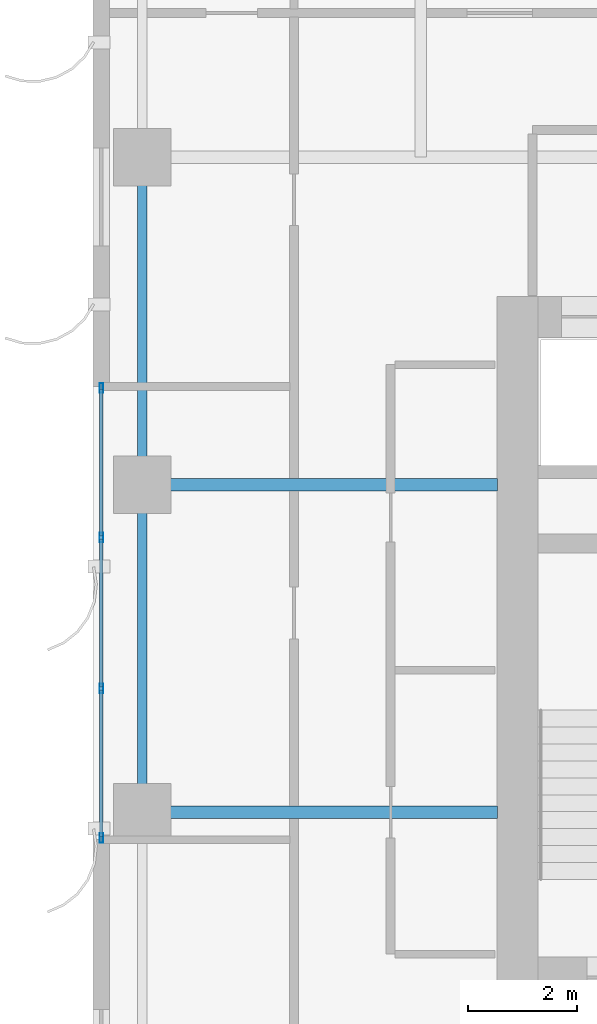
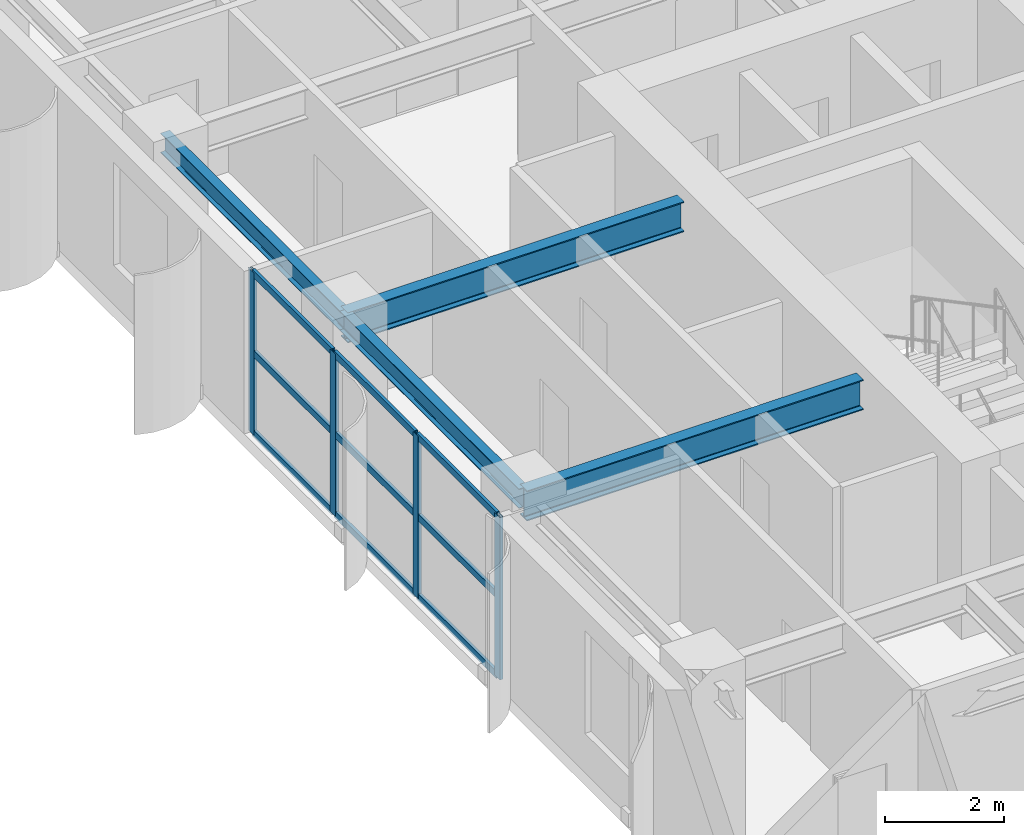
# One storey, part 7 of 22: 13 members, 4 beams, 1 element without a shape of its own.
"""IFC4 building model written with IfcOpenShell, lengths in metres."""

from ifc_helpers import new_model, si_unit, direction, frame, origin, origin_2d, place, context, subcontext, project, spatial, hollow_rectangle, i_section, extrude, source, transform, mapped, material, layer, layer_set, material_profile, profile_set, type_object, element, aggregate, save


model = new_model("IFC4")

# Units and contexts
model_context = context("Model", 3, precision=1e-05, world=origin(), true_north=direction((0.0, 1.0)))
body_context = subcontext(model_context, "Body", "Model", "MODEL_VIEW")
ifc_project = project(units=[si_unit("LENGTHUNIT", "METRE"), si_unit("AREAUNIT", "SQUARE_METRE"), si_unit("VOLUMEUNIT", "CUBIC_METRE"), si_unit("PLANEANGLEUNIT", "RADIAN"), si_unit("MASSUNIT", "GRAM", prefix="KILO")], contexts=[model_context])

# Site, building, storey
site_placement = place(None, origin())
site = spatial("IfcSite", under=ifc_project, at=site_placement, CompositionType="ELEMENT")
building_placement = place(site_placement, origin())
building = spatial("IfcBuilding", under=site, at=building_placement, Name="Khoralis Quay Care Tower", CompositionType="ELEMENT")
storey_placement = place(building_placement, frame((0.0, 0.0, 141.300048828125)))
storey = spatial("IfcBuildingStorey", under=building, at=storey_placement, Name="L37", CompositionType="ELEMENT", Elevation=141.300048828125)

# Beams
ifc_material_1 = material(Name="Steel S355", Category="steel")
ifc_material_profile_1 = material_profile(ifc_material_1, i_section(OverallWidth=0.179931640625, OverallDepth=0.39990234375, WebThickness=0.008544921875, FlangeThickness=0.013427734375, FilletRadius=0.02099609375, at=origin_2d()), Name="Steel S355")
ifc_profile_set_1 = profile_set([ifc_material_profile_1], Name="Steel S355")
beam_type_1 = type_object("IfcBeamType", Name="BM-IPE400", PredefinedType="SPANDREL", material=ifc_profile_set_1)
shared_shape_1 = source(origin(), body_context, "Body", "SweptSolid", [
    extrude(i_section(OverallWidth=0.179931640625, OverallDepth=0.39990234375, WebThickness=0.008544921875, FlangeThickness=0.013427734375, FilletRadius=0.02099609375, at=origin_2d()), origin(), (0.0, 0.0, 1.0), 6.0),
])
for number, where, z_axis, x_axis, name in (
    (1, (0.89990234375, 18.0, 3.119873046875), (0.0, 1.0, 0.0), (-1.0, 0.0, 0.0), "BM-TSP-L37-13"),
    (2, (0.89990234375, 24.0, 3.119873046875), (0.0, 1.0, 0.0), (-1.0, 0.0, 0.0), "BM-TSP-L37-14"),
):
    element("IfcBeam", number, at=place(storey_placement, frame(where, z_axis=z_axis, x_axis=x_axis)), inside=storey, type_object=beam_type_1, Name=name, PredefinedType="SPANDREL", context=body_context, shape_type="MappedRepresentation", body=[
        mapped(shared_shape_1, transform((0.0, 0.0, 0.0), scale=1.0)),
    ])
ifc_material_profile_2 = material_profile(ifc_material_1, i_section(OverallWidth=0.22998046875, OverallDepth=0.616943359375, WebThickness=0.01318359375, FlangeThickness=0.022216796875, FilletRadius=0.01806640625, at=origin_2d()), Name="Steel S355")
ifc_profile_set_2 = profile_set([ifc_material_profile_2], Name="Steel S355")
beam_type_2 = type_object("IfcBeamType", Name="BM-W610X140", PredefinedType="BEAM", material=ifc_profile_set_2)
shared_shape_2 = source(origin(), body_context, "Body", "SweptSolid", [
    extrude(i_section(OverallWidth=0.22998046875, OverallDepth=0.616943359375, WebThickness=0.01318359375, FlangeThickness=0.022216796875, FilletRadius=0.01806640625, at=origin_2d()), origin(), (0.0, 0.0, 1.0), 6.502197265625),
])
for number, where, z_axis, x_axis, name in (
    (3, (0.89990234375, 18.0, 3.011474609375), (1.0, 0.0, 0.0), (0.0, 1.0, 0.0), "BM-TGXW-L37-180"),
    (4, (0.89990234375, 24.0, 3.011474609375), (1.0, 0.0, 0.0), (0.0, 1.0, 0.0), "BM-TGXW-L37-240"),
):
    element("IfcBeam", number, at=place(storey_placement, frame(where, z_axis=z_axis, x_axis=x_axis)), inside=storey, type_object=beam_type_2, Name=name, PredefinedType="BEAM", context=body_context, shape_type="MappedRepresentation", body=[
        mapped(shared_shape_2, transform((0.0, 0.0, 0.0), scale=1.0)),
    ])

# Curtain wall, members
ifc_material_2 = material(Name="Pale anodised aluminium", Category="aluminium")
ifc_layer = layer(ifc_material_2, 0.169921875)
ifc_layer_set = layer_set([ifc_layer], Name="Pale anodised aluminium")
curtain_wall_type = type_object("IfcCurtainWallType", Name="CW-SYS-Z2", PredefinedType="NOTDEFINED", material=ifc_layer_set)
curtain_wall_placement = place(storey_placement, origin())
curtain_wall = element("IfcCurtainWall", 5, at=curtain_wall_placement, inside=storey, type_object=curtain_wall_type, Name="L37 Unitised Curtain Wall CW-L37-P1-E15", PredefinedType="NOTDEFINED")
ifc_material_profile_3 = material_profile(ifc_material_2, hollow_rectangle(XDim=0.06494140625, YDim=0.179931640625, WallThickness=0.00390625, at=origin_2d()), Name="Pale anodised aluminium")
ifc_profile_set_3 = profile_set([ifc_material_profile_3], Name="Pale anodised aluminium")
member_type_1 = type_object("IfcMemberType", Name="CW-MUL-180", PredefinedType="MULLION", material=ifc_profile_set_3)
shared_shape_3 = source(origin(), body_context, "Body", "SweptSolid", [
    extrude(hollow_rectangle(XDim=0.06494140625, YDim=0.179931640625, WallThickness=0.00390625, at=origin_2d()), origin(), (0.0, 0.0, 1.0), 3.320068359375),
])
member_1_placement = place(storey_placement, frame((0.14990234375, 25.77001953125, 0.0), z_axis=(0.0, 0.0, 1.0), x_axis=(1.0, 0.0, 0.0)))
member_1 = element("IfcMember", 6, at=member_1_placement, type_object=member_type_1, Name="CW2 mullion 1", PredefinedType="MULLION", context=body_context, shape_type="MappedRepresentation", body=[
    mapped(shared_shape_3, transform((0.0, 0.0, 0.0), scale=1.0)),
])
member_2_placement = place(storey_placement, frame((0.14990234375, 23.033447265625, 0.0), z_axis=(0.0, 0.0, 1.0), x_axis=(1.0, 0.0, 0.0)))
member_2 = element("IfcMember", 7, at=member_2_placement, type_object=member_type_1, Name="CW2 mullion 2", PredefinedType="MULLION", context=body_context, shape_type="MappedRepresentation", body=[
    mapped(shared_shape_3, transform((0.0, 0.0, 0.0), scale=1.0)),
])
member_3_placement = place(storey_placement, frame((0.14990234375, 20.2666015625, 0.0), z_axis=(0.0, 0.0, 1.0), x_axis=(1.0, 0.0, 0.0)))
member_3 = element("IfcMember", 8, at=member_3_placement, type_object=member_type_1, Name="CW2 mullion 3", PredefinedType="MULLION", context=body_context, shape_type="MappedRepresentation", body=[
    mapped(shared_shape_3, transform((0.0, 0.0, 0.0), scale=1.0)),
])
member_4_placement = place(storey_placement, frame((0.14990234375, 17.530029296875, 0.0), z_axis=(0.0, 0.0, 1.0), x_axis=(1.0, 0.0, 0.0)))
member_4 = element("IfcMember", 9, at=member_4_placement, type_object=member_type_1, Name="CW2 mullion 4", PredefinedType="MULLION", context=body_context, shape_type="MappedRepresentation", body=[
    mapped(shared_shape_3, transform((0.0, 0.0, 0.0), scale=1.0)),
])
ifc_material_profile_4 = material_profile(ifc_material_2, hollow_rectangle(XDim=0.06005859375, YDim=0.139892578125, WallThickness=0.00390625, at=origin_2d()), Name="Pale anodised aluminium")
ifc_profile_set_4 = profile_set([ifc_material_profile_4], Name="Pale anodised aluminium")
member_type_2 = type_object("IfcMemberType", Name="CW-TRN-140", PredefinedType="USERDEFINED", material=ifc_profile_set_4)
shared_shape_4 = source(origin(), body_context, "Body", "SweptSolid", [
    extrude(hollow_rectangle(XDim=0.06005859375, YDim=0.139892578125, WallThickness=0.00390625, at=origin_2d()), origin(), (0.0, 0.0, 1.0), 2.6767578125),
])
member_5_placement = place(storey_placement, frame((0.14990234375, 25.739990234375, 0.030029296875), z_axis=(0.0, -1.0, 0.0), x_axis=(1.0, 0.0, 0.0)))
member_5 = element("IfcMember", 10, at=member_5_placement, type_object=member_type_2, Name="CW2 transom 1.1", ObjectType="TRANSOM", PredefinedType="USERDEFINED", context=body_context, shape_type="MappedRepresentation", body=[
    mapped(shared_shape_4, transform((0.0, 0.0, 0.0), scale=1.0)),
])
member_6_placement = place(storey_placement, frame((0.14990234375, 25.739990234375, 1.659912109375), z_axis=(0.0, -1.0, 0.0), x_axis=(1.0, 0.0, 0.0)))
member_6 = element("IfcMember", 11, at=member_6_placement, type_object=member_type_2, Name="CW2 transom 1.2", ObjectType="TRANSOM", PredefinedType="USERDEFINED", context=body_context, shape_type="MappedRepresentation", body=[
    mapped(shared_shape_4, transform((0.0, 0.0, 0.0), scale=1.0)),
])
member_7_placement = place(storey_placement, frame((0.14990234375, 25.739990234375, 3.2900390625), z_axis=(0.0, -1.0, 0.0), x_axis=(1.0, 0.0, 0.0)))
member_7 = element("IfcMember", 12, at=member_7_placement, type_object=member_type_2, Name="CW2 transom 1.3", ObjectType="TRANSOM", PredefinedType="USERDEFINED", context=body_context, shape_type="MappedRepresentation", body=[
    mapped(shared_shape_4, transform((0.0, 0.0, 0.0), scale=1.0)),
])
shared_shape_5 = source(origin(), body_context, "Body", "SweptSolid", [
    extrude(hollow_rectangle(XDim=0.06005859375, YDim=0.139892578125, WallThickness=0.00390625, at=origin_2d()), origin(), (0.0, 0.0, 1.0), 2.676513671875),
])
member_8_placement = place(storey_placement, frame((0.14990234375, 20.236572265625, 0.030029296875), z_axis=(0.0, -1.0, 0.0), x_axis=(1.0, 0.0, 0.0)))
member_8 = element("IfcMember", 13, at=member_8_placement, type_object=member_type_2, Name="CW2 transom 3.1", ObjectType="TRANSOM", PredefinedType="USERDEFINED", context=body_context, shape_type="MappedRepresentation", body=[
    mapped(shared_shape_5, transform((0.0, 0.0, 0.0), scale=1.0)),
])
member_9_placement = place(storey_placement, frame((0.14990234375, 20.236572265625, 1.659912109375), z_axis=(0.0, -1.0, 0.0), x_axis=(1.0, 0.0, 0.0)))
member_9 = element("IfcMember", 14, at=member_9_placement, type_object=member_type_2, Name="CW2 transom 3.2", ObjectType="TRANSOM", PredefinedType="USERDEFINED", context=body_context, shape_type="MappedRepresentation", body=[
    mapped(shared_shape_5, transform((0.0, 0.0, 0.0), scale=1.0)),
])
member_10_placement = place(storey_placement, frame((0.14990234375, 20.236572265625, 3.2900390625), z_axis=(0.0, -1.0, 0.0), x_axis=(1.0, 0.0, 0.0)))
member_10 = element("IfcMember", 15, at=member_10_placement, type_object=member_type_2, Name="CW2 transom 3.3", ObjectType="TRANSOM", PredefinedType="USERDEFINED", context=body_context, shape_type="MappedRepresentation", body=[
    mapped(shared_shape_5, transform((0.0, 0.0, 0.0), scale=1.0)),
])
shared_shape_6 = source(origin(), body_context, "Body", "SweptSolid", [
    extrude(hollow_rectangle(XDim=0.06005859375, YDim=0.139892578125, WallThickness=0.00390625, at=origin_2d()), origin(), (0.0, 0.0, 1.0), 2.706787109375),
])
member_11_placement = place(storey_placement, frame((0.14990234375, 23.00341796875, 0.030029296875), z_axis=(0.0, -1.0, 0.0), x_axis=(1.0, 0.0, 0.0)))
member_11 = element("IfcMember", 16, at=member_11_placement, type_object=member_type_2, Name="CW2 transom 2.1", ObjectType="TRANSOM", PredefinedType="USERDEFINED", context=body_context, shape_type="MappedRepresentation", body=[
    mapped(shared_shape_6, transform((0.0, 0.0, 0.0), scale=1.0)),
])
member_12_placement = place(storey_placement, frame((0.14990234375, 23.00341796875, 1.659912109375), z_axis=(0.0, -1.0, 0.0), x_axis=(1.0, 0.0, 0.0)))
member_12 = element("IfcMember", 17, at=member_12_placement, type_object=member_type_2, Name="CW2 transom 2.2", ObjectType="TRANSOM", PredefinedType="USERDEFINED", context=body_context, shape_type="MappedRepresentation", body=[
    mapped(shared_shape_6, transform((0.0, 0.0, 0.0), scale=1.0)),
])
member_13_placement = place(storey_placement, frame((0.14990234375, 23.00341796875, 3.2900390625), z_axis=(0.0, -1.0, 0.0), x_axis=(1.0, 0.0, 0.0)))
member_13 = element("IfcMember", 18, at=member_13_placement, type_object=member_type_2, Name="CW2 transom 2.3", ObjectType="TRANSOM", PredefinedType="USERDEFINED", context=body_context, shape_type="MappedRepresentation", body=[
    mapped(shared_shape_6, transform((0.0, 0.0, 0.0), scale=1.0)),
])
aggregate(curtain_wall, [member_1, member_2, member_3, member_4, member_5, member_6, member_7, member_11, member_12, member_13, member_8, member_9, member_10])

save(model, "model.ifc")
